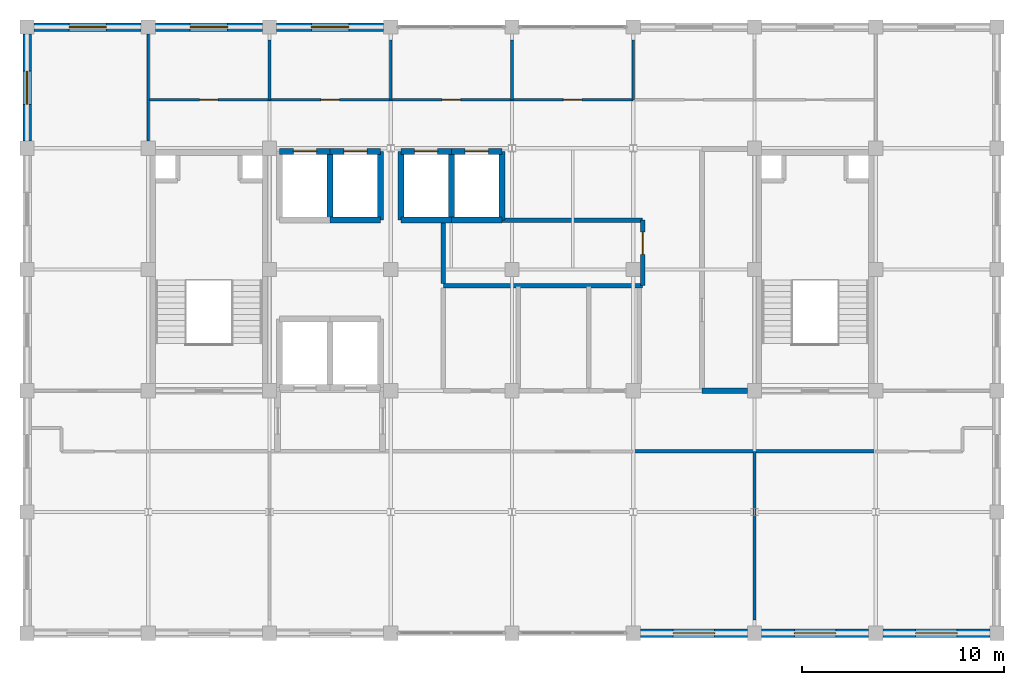
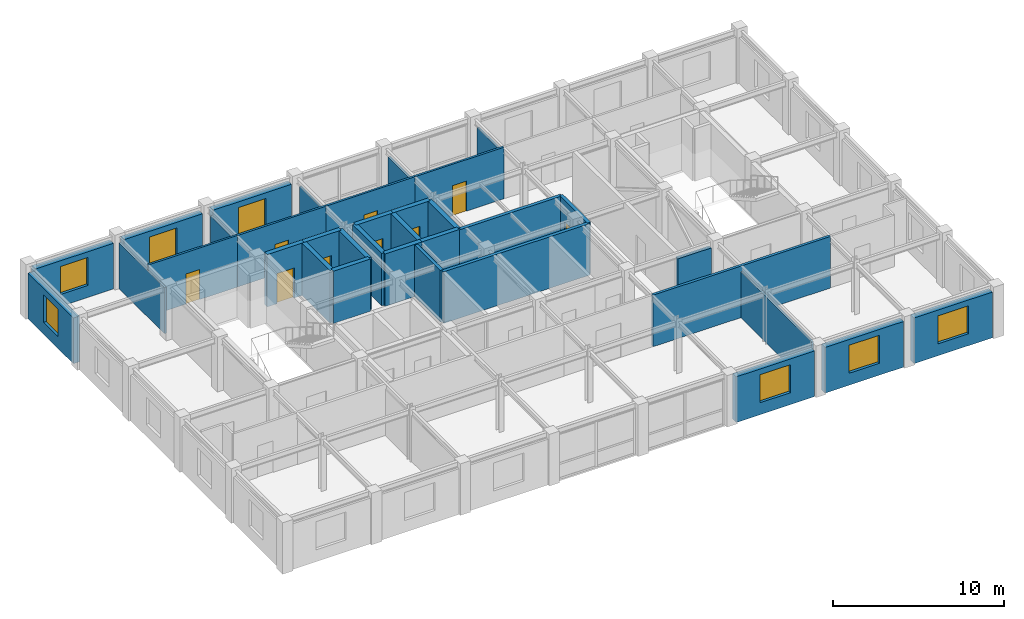
# One storey, part 10 of 13: 35 walls, 9 doors, 7 windows, 16 openings.
"""IFC4 building model written with IfcOpenShell, lengths in metres."""

from ifc_helpers import new_model, si_unit, direction, frame, frame_2d, origin, place, context, subcontext, project, spatial, rectangle, extrude, material, layer, layer_set, type_object, element, fill, save


model = new_model("IFC4")

# Units and contexts
model_context = context("Model", 3, precision=1e-05, world=origin(), true_north=direction((0.0, 1.0)))
body_context = subcontext(model_context, "Body", "Model", "MODEL_VIEW")
ifc_project = project(units=[si_unit("LENGTHUNIT", "METRE"), si_unit("AREAUNIT", "SQUARE_METRE"), si_unit("VOLUMEUNIT", "CUBIC_METRE"), si_unit("PLANEANGLEUNIT", "RADIAN"), si_unit("MASSUNIT", "GRAM", prefix="KILO")], contexts=[model_context])

# Site, building, storey
site_placement = place(None, origin())
site = spatial("IfcSite", under=ifc_project, at=site_placement, CompositionType="ELEMENT")
building_placement = place(site_placement, origin())
building = spatial("IfcBuilding", under=site, at=building_placement, Name="Zlatovratsky Civic Hall", CompositionType="ELEMENT")
storey_placement = place(building_placement, frame((0.0, 0.0, 48.300048828125)))
storey = spatial("IfcBuildingStorey", under=building, at=storey_placement, Name="L12", CompositionType="ELEMENT", Elevation=48.300048828125)

# Walls
ifc_material_1 = material(Name="Acoustic ceramic blockwork", Category="masonry")
ifc_layer_1 = layer(ifc_material_1, 0.179931640625)
ifc_layer_set_1 = layer_set([ifc_layer_1], Name="Acoustic ceramic blockwork")
wall_type_1 = type_object("IfcWallType", Name="Wall_AcousticChamberPartition_180", PredefinedType="PARTITIONING", material=ifc_layer_set_1)
wall_1_placement = place(storey_placement, frame((90.0, 81.0, 0.0), z_axis=(0.0, 0.0, 1.0), x_axis=(1.0, 0.0, 0.0)))
element("IfcWall", 1, at=wall_1_placement, inside=storey, type_object=wall_type_1, Name="WL-6599", PredefinedType="PARTITIONING", context=body_context, shape_type="SweptSolid", body=[
    extrude(rectangle(XDim=12.0, YDim=0.179931640625, at=frame_2d((6.0, 0.0))), origin(), (0.0, 0.0, 1.0), 3.679931640625),
])
ifc_layer_2 = layer(ifc_material_1, 0.260009765625)
ifc_layer_set_2 = layer_set([ifc_layer_2], Name="Acoustic ceramic blockwork")
wall_type_2 = type_object("IfcWallType", Name="Wall_ArchiveCompartment_260", PredefinedType="PARTITIONING", material=ifc_layer_set_2)
wall_2_placement = place(storey_placement, frame((93.39990234375, 84.0, 0.0), z_axis=(0.0, 0.0, 1.0), x_axis=(1.0, 0.0, 0.0)))
element("IfcWall", 2, at=wall_2_placement, inside=storey, type_object=wall_type_2, Name="WL-6565", PredefinedType="PARTITIONING", context=body_context, shape_type="SweptSolid", body=[
    extrude(rectangle(XDim=2.25, YDim=0.260009765625, at=frame_2d((1.125, 0.0))), origin(), (0.0, 0.0, 1.0), 3.287841796875),
])

# Wall, opening, door
ifc_material_2 = material(Name="Fire-rated gypsum board framing", Category="gypsum")
ifc_layer_3 = layer(ifc_material_2, 0.139892578125)
ifc_layer_set_3 = layer_set([ifc_layer_3], Name="Fire-rated gypsum board framing")
wall_type_3 = type_object("IfcWallType", Name="Wall_OfficePartition_140", PredefinedType="PARTITIONING", material=ifc_layer_set_3)
wall_3_placement = place(storey_placement, frame((66.0, 98.39990234375, 0.0), z_axis=(0.0, 0.0, 1.0), x_axis=(1.0, 0.0, 0.0)))
wall_3 = element("IfcWall", 3, at=wall_3_placement, inside=storey, type_object=wall_type_3, Name="WL-6581", PredefinedType="PARTITIONING", context=body_context, shape_type="SweptSolid", body=[
    extrude(rectangle(XDim=6.0, YDim=0.139892578125, at=frame_2d((3.0, 0.0))), origin(), (0.0, 0.0, 1.0), 3.679931640625),
])
opening_1_placement = place(wall_3_placement, frame((2.5400390625, 0.0, 0.0)))
opening_1 = element("IfcOpeningElement", 4, at=opening_1_placement, cuts=wall_3, Name="Opening D-23", PredefinedType="OPENING", context=body_context, shape_type="SweptSolid", body=[
    extrude(rectangle(XDim=0.919921875, YDim=2.14990234375, at=frame_2d((0.4599609375, 1.074951171875))), frame((0.0, 0.0849609375, 0.0), z_axis=(0.0, -1.0, 0.0), x_axis=(1.0, 0.0, 0.0)), (0.0, 0.0, 1.0), 0.169677734375),
])
ifc_material_3 = material(Name="Solid oak joinery in steel frame", Category="steel")
door_type_1 = type_object("IfcDoorType", Name="Door_OfficeStandard_920x2150", OperationType="NOTDEFINED", PredefinedType="DOOR", material=ifc_material_3)
door_1_placement = place(opening_1_placement, origin())
door_1 = element("IfcDoor", 5, at=door_1_placement, inside=storey, type_object=door_type_1, Name="DR-5479", OperationType="SINGLE_SWING_RIGHT", OverallHeight=2.14990234375, OverallWidth=0.919921875, PredefinedType="DOOR", context=body_context, shape_type="SweptSolid", body=[
    extrude(rectangle(XDim=0.919921875, YDim=2.14990234375, at=frame_2d((0.4599609375, 1.074951171875))), frame((0.0, 0.02490234375, 0.0), z_axis=(0.0, -1.0, 0.0), x_axis=(1.0, 0.0, 0.0)), (0.0, 0.0, 1.0), 0.050048828125),
])
fill(opening_1, door_1)

wall_4_placement = place(storey_placement, frame((72.0, 98.39990234375, 0.0), z_axis=(0.0, 0.0, 1.0), x_axis=(1.0, 0.0, 0.0)))
wall_4 = element("IfcWall", 6, at=wall_4_placement, inside=storey, type_object=wall_type_3, Name="WL-6582", PredefinedType="PARTITIONING", context=body_context, shape_type="SweptSolid", body=[
    extrude(rectangle(XDim=6.0, YDim=0.139892578125, at=frame_2d((3.0, 0.0))), origin(), (0.0, 0.0, 1.0), 3.679931640625),
])
opening_2_placement = place(wall_4_placement, frame((2.5400390625, 0.0, 0.0)))
opening_2 = element("IfcOpeningElement", 7, at=opening_2_placement, cuts=wall_4, Name="Opening D-23", PredefinedType="OPENING", context=body_context, shape_type="SweptSolid", body=[
    extrude(rectangle(XDim=0.919921875, YDim=2.14990234375, at=frame_2d((0.4599609375, 1.074951171875))), frame((0.0, 0.0849609375, 0.0), z_axis=(0.0, -1.0, 0.0), x_axis=(1.0, 0.0, 0.0)), (0.0, 0.0, 1.0), 0.169677734375),
])
door_2_placement = place(opening_2_placement, origin())
door_2 = element("IfcDoor", 8, at=door_2_placement, inside=storey, type_object=door_type_1, Name="DR-5480", OperationType="SINGLE_SWING_RIGHT", OverallHeight=2.14990234375, OverallWidth=0.919921875, PredefinedType="DOOR", context=body_context, shape_type="SweptSolid", body=[
    extrude(rectangle(XDim=0.919921875, YDim=2.14990234375, at=frame_2d((0.4599609375, 1.074951171875))), frame((0.0, 0.02490234375, 0.0), z_axis=(0.0, -1.0, 0.0), x_axis=(1.0, 0.0, 0.0)), (0.0, 0.0, 1.0), 0.050048828125),
])
fill(opening_2, door_2)

wall_5_placement = place(storey_placement, frame((78.0, 98.39990234375, 0.0), z_axis=(0.0, 0.0, 1.0), x_axis=(1.0, 0.0, 0.0)))
wall_5 = element("IfcWall", 9, at=wall_5_placement, inside=storey, type_object=wall_type_3, Name="WL-6583", PredefinedType="PARTITIONING", context=body_context, shape_type="SweptSolid", body=[
    extrude(rectangle(XDim=6.0, YDim=0.139892578125, at=frame_2d((3.0, 0.0))), origin(), (0.0, 0.0, 1.0), 3.679931640625),
])
opening_3_placement = place(wall_5_placement, frame((2.5400390625, 0.0, 0.0)))
opening_3 = element("IfcOpeningElement", 10, at=opening_3_placement, cuts=wall_5, Name="Opening D-23", PredefinedType="OPENING", context=body_context, shape_type="SweptSolid", body=[
    extrude(rectangle(XDim=0.919921875, YDim=2.14990234375, at=frame_2d((0.4599609375, 1.074951171875))), frame((0.0, 0.0849609375, 0.0), z_axis=(0.0, -1.0, 0.0), x_axis=(1.0, 0.0, 0.0)), (0.0, 0.0, 1.0), 0.169677734375),
])
door_3_placement = place(opening_3_placement, origin())
door_3 = element("IfcDoor", 11, at=door_3_placement, inside=storey, type_object=door_type_1, Name="DR-5481", OperationType="SINGLE_SWING_RIGHT", OverallHeight=2.14990234375, OverallWidth=0.919921875, PredefinedType="DOOR", context=body_context, shape_type="SweptSolid", body=[
    extrude(rectangle(XDim=0.919921875, YDim=2.14990234375, at=frame_2d((0.4599609375, 1.074951171875))), frame((0.0, 0.02490234375, 0.0), z_axis=(0.0, -1.0, 0.0), x_axis=(1.0, 0.0, 0.0)), (0.0, 0.0, 1.0), 0.050048828125),
])
fill(opening_3, door_3)

wall_6_placement = place(storey_placement, frame((84.0, 98.39990234375, 0.0), z_axis=(0.0, 0.0, 1.0), x_axis=(1.0, 0.0, 0.0)))
wall_6 = element("IfcWall", 12, at=wall_6_placement, inside=storey, type_object=wall_type_3, Name="WL-6584", PredefinedType="PARTITIONING", context=body_context, shape_type="SweptSolid", body=[
    extrude(rectangle(XDim=6.0, YDim=0.139892578125, at=frame_2d((3.0, 0.0))), origin(), (0.0, 0.0, 1.0), 3.679931640625),
])
opening_4_placement = place(wall_6_placement, frame((2.5400390625, 0.0, 0.0)))
opening_4 = element("IfcOpeningElement", 13, at=opening_4_placement, cuts=wall_6, Name="Opening D-23", PredefinedType="OPENING", context=body_context, shape_type="SweptSolid", body=[
    extrude(rectangle(XDim=0.919921875, YDim=2.14990234375, at=frame_2d((0.4599609375, 1.074951171875))), frame((0.0, 0.0849609375, 0.0), z_axis=(0.0, -1.0, 0.0), x_axis=(1.0, 0.0, 0.0)), (0.0, 0.0, 1.0), 0.169677734375),
])
door_4_placement = place(opening_4_placement, origin())
door_4 = element("IfcDoor", 14, at=door_4_placement, inside=storey, type_object=door_type_1, Name="DR-5482", OperationType="SINGLE_SWING_RIGHT", OverallHeight=2.14990234375, OverallWidth=0.919921875, PredefinedType="DOOR", context=body_context, shape_type="SweptSolid", body=[
    extrude(rectangle(XDim=0.919921875, YDim=2.14990234375, at=frame_2d((0.4599609375, 1.074951171875))), frame((0.0, 0.02490234375, 0.0), z_axis=(0.0, -1.0, 0.0), x_axis=(1.0, 0.0, 0.0)), (0.0, 0.0, 1.0), 0.050048828125),
])
fill(opening_4, door_4)

# Walls
wall_7_placement = place(storey_placement, frame((96.0, 72.64990234375, 0.0), z_axis=(0.0, 0.0, 1.0), x_axis=(0.0, 1.0, 0.0)))
element("IfcWall", 15, at=wall_7_placement, inside=storey, type_object=wall_type_3, Name="WL-6588", PredefinedType="PARTITIONING", context=body_context, shape_type="SweptSolid", body=[
    extrude(rectangle(XDim=8.35009765625, YDim=0.139892578125, at=frame_2d((4.175048828125, 0.0))), origin(), (0.0, 0.0, 1.0), 3.287841796875),
])
for number, where, z_axis, x_axis, name in (
    (16, (72.0, 98.39990234375, 0.0), (0.0, 0.0, 1.0), (0.0, 1.0, 0.0), "WL-6589"),
    (17, (78.0, 98.39990234375, 0.0), (0.0, 0.0, 1.0), (0.0, 1.0, 0.0), "WL-6590"),
    (18, (84.0, 98.39990234375, 0.0), (0.0, 0.0, 1.0), (0.0, 1.0, 0.0), "WL-6591"),
    (19, (90.0, 98.39990234375, 0.0), (0.0, 0.0, 1.0), (0.0, 1.0, 0.0), "WL-6592"),
):
    element("IfcWall", number, at=place(storey_placement, frame(where, z_axis=z_axis, x_axis=x_axis)), inside=storey, type_object=wall_type_3, Name=name, PredefinedType="PARTITIONING", context=body_context, shape_type="SweptSolid", body=[
        extrude(rectangle(XDim=2.9501953125, YDim=0.139892578125, at=frame_2d((1.47509765625, 0.0))), origin(), (0.0, 0.0, 1.0), 3.287841796875),
    ])
wall_8_placement = place(storey_placement, frame((66.0, 96.35009765625, 0.0), z_axis=(0.0, 0.0, 1.0), x_axis=(0.0, 1.0, 0.0)))
element("IfcWall", 20, at=wall_8_placement, inside=storey, type_object=wall_type_3, Name="WL-6604", PredefinedType="PARTITIONING", context=body_context, shape_type="SweptSolid", body=[
    extrude(rectangle(XDim=5.2998046875, YDim=0.139892578125, at=frame_2d((2.64990234375, 0.0))), origin(), (0.0, 0.0, 1.0), 3.287841796875),
])
ifc_layer_4 = layer(ifc_material_1, 0.219970703125)
ifc_layer_set_4 = layer_set([ifc_layer_4], Name="Acoustic ceramic blockwork")
wall_type_4 = type_object("IfcWallType", Name="Wall_SanitaryWetCore_220", PredefinedType="PARTITIONING", material=ifc_layer_set_4)
wall_9_placement = place(storey_placement, frame((80.60009765625, 89.199951171875, 0.0), z_axis=(0.0, 0.0, 1.0), x_axis=(1.0, 0.0, 0.0)))
element("IfcWall", 21, at=wall_9_placement, inside=storey, type_object=wall_type_4, Name="WL-6574", PredefinedType="PARTITIONING", context=body_context, shape_type="SweptSolid", body=[
    extrude(rectangle(XDim=9.869873046875, YDim=0.219970703125, at=frame_2d((4.93505859375, 0.0))), origin(), (0.0, 0.0, 1.0), 3.679931640625),
])

# Wall, opening, door
wall_10_placement = place(storey_placement, frame((90.469970703125, 89.199951171875, 0.0), z_axis=(0.0, 0.0, 1.0), x_axis=(0.0, 1.0, 0.0)))
wall_10 = element("IfcWall", 22, at=wall_10_placement, inside=storey, type_object=wall_type_4, Name="WL-6575", PredefinedType="PARTITIONING", context=body_context, shape_type="SweptSolid", body=[
    extrude(rectangle(XDim=3.25, YDim=0.219970703125, at=frame_2d((1.625, 0.0))), origin(), (0.0, 0.0, 1.0), 3.679931640625),
])
opening_5_placement = place(wall_10_placement, frame((1.550048828125, 0.0, 0.0)))
opening_5 = element("IfcOpeningElement", 23, at=opening_5_placement, cuts=wall_10, Name="Opening D-30", PredefinedType="OPENING", context=body_context, shape_type="SweptSolid", body=[
    extrude(rectangle(XDim=1.10009765625, YDim=2.14990234375, at=frame_2d((0.550048828125, 1.074951171875))), frame((0.0, 0.125, 0.0), z_axis=(0.0, -1.0, 0.0), x_axis=(1.0, 0.0, 0.0)), (0.0, 0.0, 1.0), 0.249755859375),
])
ifc_material_4 = material(Name="Insulated painted fire-rated steel leaf", Category="steel")
door_type_2 = type_object("IfcDoorType", Name="Door_ElectricalRoom_1100x2150", OperationType="NOTDEFINED", PredefinedType="DOOR", material=ifc_material_4)
door_5_placement = place(opening_5_placement, origin())
door_5 = element("IfcDoor", 24, at=door_5_placement, inside=storey, type_object=door_type_2, Name="DR-5473", OperationType="SINGLE_SWING_RIGHT", OverallHeight=2.14990234375, OverallWidth=1.10009765625, PredefinedType="DOOR", context=body_context, shape_type="SweptSolid", body=[
    extrude(rectangle(XDim=1.10009765625, YDim=2.14990234375, at=frame_2d((0.550048828125, 1.074951171875))), frame((0.0, 0.02490234375, 0.0), z_axis=(0.0, -1.0, 0.0), x_axis=(1.0, 0.0, 0.0)), (0.0, 0.0, 1.0), 0.050048828125),
])
fill(opening_5, door_5)

# Walls
wall_11_placement = place(storey_placement, frame((80.60009765625, 89.31005859375, 0.0), z_axis=(0.0, 0.0, 1.0), x_axis=(0.0, 1.0, 0.0)))
element("IfcWall", 25, at=wall_11_placement, inside=storey, type_object=wall_type_4, Name="WL-6596", PredefinedType="PARTITIONING", context=body_context, shape_type="SweptSolid", body=[
    extrude(rectangle(XDim=2.989990234375, YDim=0.219970703125, at=frame_2d((1.4951171875, 0.0))), origin(), (0.0, 0.0, 1.0), 3.679931640625),
])
wall_12_placement = place(storey_placement, frame((83.5, 92.449951171875, 0.0), z_axis=(0.0, 0.0, 1.0), x_axis=(1.0, 0.0, 0.0)))
element("IfcWall", 26, at=wall_12_placement, inside=storey, type_object=wall_type_4, Name="WL-6597", PredefinedType="PARTITIONING", context=body_context, shape_type="SweptSolid", body=[
    extrude(rectangle(XDim=6.969970703125, YDim=0.219970703125, at=frame_2d((3.48486328125, 0.0))), origin(), (0.0, 0.0, 1.0), 3.679931640625),
])

# Wall, opening, door
ifc_material_5 = material(Name="Concrete C35/45 (B40)", Category="concrete")
ifc_layer_5 = layer(ifc_material_5, 0.300048828125)
ifc_layer_set_5 = layer_set([ifc_layer_5], Name="Concrete C35/45 (B40)")
wall_type_5 = type_object("IfcWallType", Name="Wall_StairAndLiftShaft_300", PredefinedType="SHEAR", material=ifc_layer_set_5)
wall_13_placement = place(storey_placement, frame((72.5, 95.85009765625, 0.0), z_axis=(0.0, 0.0, 1.0), x_axis=(1.0, 0.0, 0.0)))
wall_13 = element("IfcWall", 27, at=wall_13_placement, inside=storey, type_object=wall_type_5, Name="WL-5662", PredefinedType="SHEAR", context=body_context, shape_type="SweptSolid", body=[
    extrude(rectangle(XDim=2.5, YDim=0.300048828125, at=frame_2d((1.25, 0.0))), origin(), (0.0, 0.0, 1.0), 3.739990234375),
])
opening_6_placement = place(wall_13_placement, frame((0.675048828125, 0.0, 0.0)))
opening_6 = element("IfcOpeningElement", 28, at=opening_6_placement, cuts=wall_13, Name="Opening LD-02", PredefinedType="OPENING", context=body_context, shape_type="SweptSolid", body=[
    extrude(rectangle(XDim=1.14990234375, YDim=2.14990234375, at=frame_2d((0.574951171875, 1.074951171875))), frame((0.0, 0.1650390625, 0.0), z_axis=(0.0, -1.0, 0.0), x_axis=(1.0, 0.0, 0.0)), (0.0, 0.0, 1.0), 0.329833984375),
])
ifc_material_6 = material(Name="Brushed stainless steel AISI 304", Category="steel")
door_type_3 = type_object("IfcDoorType", Name="Door_LiftLandingHighRise_1150x2150", OperationType="DOUBLE_DOOR_SLIDING", PredefinedType="DOOR", material=ifc_material_6)
door_6_placement = place(opening_6_placement, origin())
door_6 = element("IfcDoor", 29, at=door_6_placement, inside=storey, type_object=door_type_3, Name="Lift landing door LD-5109", OperationType="DOUBLE_DOOR_SLIDING", OverallHeight=2.14990234375, OverallWidth=1.14990234375, PredefinedType="DOOR", context=body_context, shape_type="SweptSolid", body=[
    extrude(rectangle(XDim=1.14990234375, YDim=2.14990234375, at=frame_2d((0.574951171875, 1.074951171875))), frame((0.0, 0.02490234375, 0.0), z_axis=(0.0, -1.0, 0.0), x_axis=(1.0, 0.0, 0.0)), (0.0, 0.0, 1.0), 0.050048828125),
])
fill(opening_6, door_6)

wall_14_placement = place(storey_placement, frame((75.0, 95.85009765625, 0.0), z_axis=(0.0, 0.0, 1.0), x_axis=(1.0, 0.0, 0.0)))
wall_14 = element("IfcWall", 30, at=wall_14_placement, inside=storey, type_object=wall_type_5, Name="WL-5731", PredefinedType="SHEAR", context=body_context, shape_type="SweptSolid", body=[
    extrude(rectangle(XDim=2.5, YDim=0.300048828125, at=frame_2d((1.25, 0.0))), origin(), (0.0, 0.0, 1.0), 3.739990234375),
])
opening_7_placement = place(wall_14_placement, frame((0.675048828125, 0.0, 0.0)))
opening_7 = element("IfcOpeningElement", 31, at=opening_7_placement, cuts=wall_14, Name="Opening LD-02", PredefinedType="OPENING", context=body_context, shape_type="SweptSolid", body=[
    extrude(rectangle(XDim=1.14990234375, YDim=2.14990234375, at=frame_2d((0.574951171875, 1.074951171875))), frame((0.0, 0.1650390625, 0.0), z_axis=(0.0, -1.0, 0.0), x_axis=(1.0, 0.0, 0.0)), (0.0, 0.0, 1.0), 0.329833984375),
])
door_7_placement = place(opening_7_placement, origin())
door_7 = element("IfcDoor", 32, at=door_7_placement, inside=storey, type_object=door_type_3, Name="Lift landing door LD-5128", OperationType="DOUBLE_DOOR_SLIDING", OverallHeight=2.14990234375, OverallWidth=1.14990234375, PredefinedType="DOOR", context=body_context, shape_type="SweptSolid", body=[
    extrude(rectangle(XDim=1.14990234375, YDim=2.14990234375, at=frame_2d((0.574951171875, 1.074951171875))), frame((0.0, 0.02490234375, 0.0), z_axis=(0.0, -1.0, 0.0), x_axis=(1.0, 0.0, 0.0)), (0.0, 0.0, 1.0), 0.050048828125),
])
fill(opening_7, door_7)

# Walls
wall_15_placement = place(storey_placement, frame((75.0, 92.449951171875, 0.0), z_axis=(0.0, 0.0, 1.0), x_axis=(1.0, 0.0, 0.0)))
element("IfcWall", 33, at=wall_15_placement, inside=storey, type_object=wall_type_5, Name="WL-5732", PredefinedType="SHEAR", context=body_context, shape_type="SweptSolid", body=[
    extrude(rectangle(XDim=2.5, YDim=0.300048828125, at=frame_2d((1.25, 0.0))), origin(), (0.0, 0.0, 1.0), 3.739990234375),
])
for number, where, z_axis, x_axis, name in (
    (34, (75.0, 92.449951171875, 0.0), (0.0, 0.0, 1.0), (0.0, 1.0, 0.0), "WL-5733"),
    (35, (77.5, 92.449951171875, 0.0), (0.0, 0.0, 1.0), (0.0, 1.0, 0.0), "WL-5734"),
):
    element("IfcWall", number, at=place(storey_placement, frame(where, z_axis=z_axis, x_axis=x_axis)), inside=storey, type_object=wall_type_5, Name=name, PredefinedType="SHEAR", context=body_context, shape_type="SweptSolid", body=[
        extrude(rectangle(XDim=3.400146484375, YDim=0.300048828125, at=frame_2d((1.7001953125, 0.0))), origin(), (0.0, 0.0, 1.0), 3.739990234375),
    ])

# Wall, opening, door
wall_16_placement = place(storey_placement, frame((78.5, 95.85009765625, 0.0), z_axis=(0.0, 0.0, 1.0), x_axis=(1.0, 0.0, 0.0)))
wall_16 = element("IfcWall", 36, at=wall_16_placement, inside=storey, type_object=wall_type_5, Name="WL-5795", PredefinedType="SHEAR", context=body_context, shape_type="SweptSolid", body=[
    extrude(rectangle(XDim=2.5, YDim=0.300048828125, at=frame_2d((1.25, 0.0))), origin(), (0.0, 0.0, 1.0), 3.739990234375),
])
opening_8_placement = place(wall_16_placement, frame((0.675048828125, 0.0, 0.0)))
opening_8 = element("IfcOpeningElement", 37, at=opening_8_placement, cuts=wall_16, Name="Opening LD-02", PredefinedType="OPENING", context=body_context, shape_type="SweptSolid", body=[
    extrude(rectangle(XDim=1.14990234375, YDim=2.14990234375, at=frame_2d((0.574951171875, 1.074951171875))), frame((0.0, 0.1650390625, 0.0), z_axis=(0.0, -1.0, 0.0), x_axis=(1.0, 0.0, 0.0)), (0.0, 0.0, 1.0), 0.329833984375),
])
door_8_placement = place(opening_8_placement, origin())
door_8 = element("IfcDoor", 38, at=door_8_placement, inside=storey, type_object=door_type_3, Name="Lift landing door LD-5147", OperationType="DOUBLE_DOOR_SLIDING", OverallHeight=2.14990234375, OverallWidth=1.14990234375, PredefinedType="DOOR", context=body_context, shape_type="SweptSolid", body=[
    extrude(rectangle(XDim=1.14990234375, YDim=2.14990234375, at=frame_2d((0.574951171875, 1.074951171875))), frame((0.0, 0.02490234375, 0.0), z_axis=(0.0, -1.0, 0.0), x_axis=(1.0, 0.0, 0.0)), (0.0, 0.0, 1.0), 0.050048828125),
])
fill(opening_8, door_8)

# Walls
wall_17_placement = place(storey_placement, frame((78.5, 92.449951171875, 0.0), z_axis=(0.0, 0.0, 1.0), x_axis=(1.0, 0.0, 0.0)))
element("IfcWall", 39, at=wall_17_placement, inside=storey, type_object=wall_type_5, Name="WL-5796", PredefinedType="SHEAR", context=body_context, shape_type="SweptSolid", body=[
    extrude(rectangle(XDim=2.5, YDim=0.300048828125, at=frame_2d((1.25, 0.0))), origin(), (0.0, 0.0, 1.0), 3.739990234375),
])
wall_18_placement = place(storey_placement, frame((78.5, 92.449951171875, 0.0), z_axis=(0.0, 0.0, 1.0), x_axis=(0.0, 1.0, 0.0)))
element("IfcWall", 40, at=wall_18_placement, inside=storey, type_object=wall_type_5, Name="WL-5797", PredefinedType="SHEAR", context=body_context, shape_type="SweptSolid", body=[
    extrude(rectangle(XDim=3.400146484375, YDim=0.300048828125, at=frame_2d((1.7001953125, 0.0))), origin(), (0.0, 0.0, 1.0), 3.739990234375),
])

# Wall, opening, door
wall_19_placement = place(storey_placement, frame((81.0, 95.85009765625, 0.0), z_axis=(0.0, 0.0, 1.0), x_axis=(1.0, 0.0, 0.0)))
wall_19 = element("IfcWall", 41, at=wall_19_placement, inside=storey, type_object=wall_type_5, Name="WL-5864", PredefinedType="SHEAR", context=body_context, shape_type="SweptSolid", body=[
    extrude(rectangle(XDim=2.5, YDim=0.300048828125, at=frame_2d((1.25, 0.0))), origin(), (0.0, 0.0, 1.0), 3.739990234375),
])
opening_9_placement = place(wall_19_placement, frame((0.675048828125, 0.0, 0.0)))
opening_9 = element("IfcOpeningElement", 42, at=opening_9_placement, cuts=wall_19, Name="Opening LD-02", PredefinedType="OPENING", context=body_context, shape_type="SweptSolid", body=[
    extrude(rectangle(XDim=1.14990234375, YDim=2.14990234375, at=frame_2d((0.574951171875, 1.074951171875))), frame((0.0, 0.1650390625, 0.0), z_axis=(0.0, -1.0, 0.0), x_axis=(1.0, 0.0, 0.0)), (0.0, 0.0, 1.0), 0.329833984375),
])
door_9_placement = place(opening_9_placement, origin())
door_9 = element("IfcDoor", 43, at=door_9_placement, inside=storey, type_object=door_type_3, Name="Lift landing door LD-5166", OperationType="DOUBLE_DOOR_SLIDING", OverallHeight=2.14990234375, OverallWidth=1.14990234375, PredefinedType="DOOR", context=body_context, shape_type="SweptSolid", body=[
    extrude(rectangle(XDim=1.14990234375, YDim=2.14990234375, at=frame_2d((0.574951171875, 1.074951171875))), frame((0.0, 0.02490234375, 0.0), z_axis=(0.0, -1.0, 0.0), x_axis=(1.0, 0.0, 0.0)), (0.0, 0.0, 1.0), 0.050048828125),
])
fill(opening_9, door_9)

# Walls
wall_20_placement = place(storey_placement, frame((81.0, 92.449951171875, 0.0), z_axis=(0.0, 0.0, 1.0), x_axis=(1.0, 0.0, 0.0)))
element("IfcWall", 44, at=wall_20_placement, inside=storey, type_object=wall_type_5, Name="WL-5865", PredefinedType="SHEAR", context=body_context, shape_type="SweptSolid", body=[
    extrude(rectangle(XDim=2.5, YDim=0.300048828125, at=frame_2d((1.25, 0.0))), origin(), (0.0, 0.0, 1.0), 3.739990234375),
])
for number, where, z_axis, x_axis, name in (
    (45, (81.0, 92.449951171875, 0.0), (0.0, 0.0, 1.0), (0.0, 1.0, 0.0), "WL-5866"),
    (46, (83.5, 92.449951171875, 0.0), (0.0, 0.0, 1.0), (0.0, 1.0, 0.0), "WL-5867"),
):
    element("IfcWall", number, at=place(storey_placement, frame(where, z_axis=z_axis, x_axis=x_axis)), inside=storey, type_object=wall_type_5, Name=name, PredefinedType="SHEAR", context=body_context, shape_type="SweptSolid", body=[
        extrude(rectangle(XDim=3.400146484375, YDim=0.300048828125, at=frame_2d((1.7001953125, 0.0))), origin(), (0.0, 0.0, 1.0), 3.739990234375),
    ])

# Wall, opening, window
ifc_layer_6 = layer(ifc_material_1, 0.280029296875, Name="Backing")
ifc_material_7 = material(Name="Podolsk limestone ashlar", Category="masonry")
ifc_layer_7 = layer(ifc_material_7, 0.139892578125, Name="Finish")
ifc_layer_set_6 = layer_set([ifc_layer_6, ifc_layer_7], Name="Acoustic ceramic blockwork")
wall_type_6 = type_object("IfcWallType", Name="Wall_TowerLimestoneAshlar_420", PredefinedType="SOLIDWALL", material=ifc_layer_set_6)
wall_21_placement = place(storey_placement, frame((90.35009765625, 72.0, 0.0), z_axis=(0.0, 0.0, 1.0), x_axis=(1.0, 0.0, 0.0)))
wall_21 = element("IfcWall", 47, at=wall_21_placement, inside=storey, type_object=wall_type_6, Name="WL-0570", PredefinedType="SOLIDWALL", context=body_context, shape_type="SweptSolid", body=[
    extrude(rectangle(XDim=5.2998046875, YDim=0.419921875, at=frame_2d((2.64990234375, 0.0))), origin(), (0.0, 0.0, 1.0), 3.260009765625),
])
opening_10_placement = place(wall_21_placement, frame((1.625, 0.0, 0.85009765625)))
opening_10 = element("IfcOpeningElement", 48, at=opening_10_placement, cuts=wall_21, Name="Opening WN-17", PredefinedType="OPENING", context=body_context, shape_type="SweptSolid", body=[
    extrude(rectangle(XDim=2.050048828125, YDim=2.0, at=frame_2d((1.02490234375, 1.0))), frame((0.0, 0.224853515625, 0.0), z_axis=(0.0, -1.0, 0.0), x_axis=(1.0, 0.0, 0.0)), (0.0, 0.0, 1.0), 0.44970703125),
])
ifc_material_8 = material(Name="Low-E laminated double glazing", Category="glass")
window_type_1 = type_object("IfcWindowType", Name="Window_TowerTier2South_2050x2000", PartitioningType="SINGLE_PANEL", PredefinedType="WINDOW", material=ifc_material_8)
window_1_placement = place(opening_10_placement, origin())
window_1 = element("IfcWindow", 49, at=window_1_placement, inside=storey, type_object=window_type_1, Name="WN-0444", OverallHeight=2.0, OverallWidth=2.050048828125, PartitioningType="SINGLE_PANEL", PredefinedType="WINDOW", context=body_context, shape_type="SweptSolid", body=[
    extrude(rectangle(XDim=2.050048828125, YDim=2.0, at=frame_2d((1.02490234375, 1.0))), frame((0.0, 0.030029296875, 0.0), z_axis=(0.0, -1.0, 0.0), x_axis=(1.0, 0.0, 0.0)), (0.0, 0.0, 1.0), 0.06005859375),
])
fill(opening_10, window_1)

wall_22_placement = place(storey_placement, frame((96.35009765625, 72.0, 0.0), z_axis=(0.0, 0.0, 1.0), x_axis=(1.0, 0.0, 0.0)))
wall_22 = element("IfcWall", 50, at=wall_22_placement, inside=storey, type_object=wall_type_6, Name="WL-0571", PredefinedType="SOLIDWALL", context=body_context, shape_type="SweptSolid", body=[
    extrude(rectangle(XDim=5.2998046875, YDim=0.419921875, at=frame_2d((2.64990234375, 0.0))), origin(), (0.0, 0.0, 1.0), 3.260009765625),
])
opening_11_placement = place(wall_22_placement, frame((1.625, 0.0, 0.85009765625)))
opening_11 = element("IfcOpeningElement", 51, at=opening_11_placement, cuts=wall_22, Name="Opening WN-17", PredefinedType="OPENING", context=body_context, shape_type="SweptSolid", body=[
    extrude(rectangle(XDim=2.050048828125, YDim=2.0, at=frame_2d((1.02490234375, 1.0))), frame((0.0, 0.224853515625, 0.0), z_axis=(0.0, -1.0, 0.0), x_axis=(1.0, 0.0, 0.0)), (0.0, 0.0, 1.0), 0.44970703125),
])
window_2_placement = place(opening_11_placement, origin())
window_2 = element("IfcWindow", 52, at=window_2_placement, inside=storey, type_object=window_type_1, Name="WN-0445", OverallHeight=2.0, OverallWidth=2.050048828125, PartitioningType="SINGLE_PANEL", PredefinedType="WINDOW", context=body_context, shape_type="SweptSolid", body=[
    extrude(rectangle(XDim=2.050048828125, YDim=2.0, at=frame_2d((1.02490234375, 1.0))), frame((0.0, 0.030029296875, 0.0), z_axis=(0.0, -1.0, 0.0), x_axis=(1.0, 0.0, 0.0)), (0.0, 0.0, 1.0), 0.06005859375),
])
fill(opening_11, window_2)

wall_23_placement = place(storey_placement, frame((102.35009765625, 72.0, 0.0), z_axis=(0.0, 0.0, 1.0), x_axis=(1.0, 0.0, 0.0)))
wall_23 = element("IfcWall", 53, at=wall_23_placement, inside=storey, type_object=wall_type_6, Name="WL-0572", PredefinedType="SOLIDWALL", context=body_context, shape_type="SweptSolid", body=[
    extrude(rectangle(XDim=5.2998046875, YDim=0.419921875, at=frame_2d((2.64990234375, 0.0))), origin(), (0.0, 0.0, 1.0), 3.260009765625),
])
opening_12_placement = place(wall_23_placement, frame((1.625, 0.0, 0.85009765625)))
opening_12 = element("IfcOpeningElement", 54, at=opening_12_placement, cuts=wall_23, Name="Opening WN-17", PredefinedType="OPENING", context=body_context, shape_type="SweptSolid", body=[
    extrude(rectangle(XDim=2.050048828125, YDim=2.0, at=frame_2d((1.02490234375, 1.0))), frame((0.0, 0.224853515625, 0.0), z_axis=(0.0, -1.0, 0.0), x_axis=(1.0, 0.0, 0.0)), (0.0, 0.0, 1.0), 0.44970703125),
])
window_3_placement = place(opening_12_placement, origin())
window_3 = element("IfcWindow", 55, at=window_3_placement, inside=storey, type_object=window_type_1, Name="WN-0446", OverallHeight=2.0, OverallWidth=2.050048828125, PartitioningType="SINGLE_PANEL", PredefinedType="WINDOW", context=body_context, shape_type="SweptSolid", body=[
    extrude(rectangle(XDim=2.050048828125, YDim=2.0, at=frame_2d((1.02490234375, 1.0))), frame((0.0, 0.030029296875, 0.0), z_axis=(0.0, -1.0, 0.0), x_axis=(1.0, 0.0, 0.0)), (0.0, 0.0, 1.0), 0.06005859375),
])
fill(opening_12, window_3)

wall_24_placement = place(storey_placement, frame((60.35009765625, 102.0, 0.0), z_axis=(0.0, 0.0, 1.0), x_axis=(1.0, 0.0, 0.0)))
wall_24 = element("IfcWall", 56, at=wall_24_placement, inside=storey, type_object=wall_type_6, Name="WL-0573", PredefinedType="SOLIDWALL", context=body_context, shape_type="SweptSolid", body=[
    extrude(rectangle(XDim=5.2998046875, YDim=0.419921875, at=frame_2d((2.64990234375, 0.0))), origin(), (0.0, 0.0, 1.0), 3.260009765625),
])
opening_13_placement = place(wall_24_placement, frame((1.72509765625, 0.0, 0.85009765625)))
opening_13 = element("IfcOpeningElement", 57, at=opening_13_placement, cuts=wall_24, Name="Opening WN-18", PredefinedType="OPENING", context=body_context, shape_type="SweptSolid", body=[
    extrude(rectangle(XDim=1.85009765625, YDim=2.0, at=frame_2d((0.925048828125, 1.0))), frame((0.0, 0.224853515625, 0.0), z_axis=(0.0, -1.0, 0.0), x_axis=(1.0, 0.0, 0.0)), (0.0, 0.0, 1.0), 0.44970703125),
])
window_type_2 = type_object("IfcWindowType", Name="Window_TowerTier2North_1850x2000", PartitioningType="SINGLE_PANEL", PredefinedType="WINDOW", material=ifc_material_8)
window_4_placement = place(opening_13_placement, origin())
window_4 = element("IfcWindow", 58, at=window_4_placement, inside=storey, type_object=window_type_2, Name="WN-0447", OverallHeight=2.0, OverallWidth=1.85009765625, PartitioningType="SINGLE_PANEL", PredefinedType="WINDOW", context=body_context, shape_type="SweptSolid", body=[
    extrude(rectangle(XDim=1.85009765625, YDim=2.0, at=frame_2d((0.925048828125, 1.0))), frame((0.0, 0.030029296875, 0.0), z_axis=(0.0, -1.0, 0.0), x_axis=(1.0, 0.0, 0.0)), (0.0, 0.0, 1.0), 0.06005859375),
])
fill(opening_13, window_4)

wall_25_placement = place(storey_placement, frame((66.35009765625, 102.0, 0.0), z_axis=(0.0, 0.0, 1.0), x_axis=(1.0, 0.0, 0.0)))
wall_25 = element("IfcWall", 59, at=wall_25_placement, inside=storey, type_object=wall_type_6, Name="WL-0574", PredefinedType="SOLIDWALL", context=body_context, shape_type="SweptSolid", body=[
    extrude(rectangle(XDim=5.2998046875, YDim=0.419921875, at=frame_2d((2.64990234375, 0.0))), origin(), (0.0, 0.0, 1.0), 3.260009765625),
])
opening_14_placement = place(wall_25_placement, frame((1.72509765625, 0.0, 0.85009765625)))
opening_14 = element("IfcOpeningElement", 60, at=opening_14_placement, cuts=wall_25, Name="Opening WN-18", PredefinedType="OPENING", context=body_context, shape_type="SweptSolid", body=[
    extrude(rectangle(XDim=1.85009765625, YDim=2.0, at=frame_2d((0.925048828125, 1.0))), frame((0.0, 0.224853515625, 0.0), z_axis=(0.0, -1.0, 0.0), x_axis=(1.0, 0.0, 0.0)), (0.0, 0.0, 1.0), 0.44970703125),
])
window_5_placement = place(opening_14_placement, origin())
window_5 = element("IfcWindow", 61, at=window_5_placement, inside=storey, type_object=window_type_2, Name="WN-0448", OverallHeight=2.0, OverallWidth=1.85009765625, PartitioningType="SINGLE_PANEL", PredefinedType="WINDOW", context=body_context, shape_type="SweptSolid", body=[
    extrude(rectangle(XDim=1.85009765625, YDim=2.0, at=frame_2d((0.925048828125, 1.0))), frame((0.0, 0.030029296875, 0.0), z_axis=(0.0, -1.0, 0.0), x_axis=(1.0, 0.0, 0.0)), (0.0, 0.0, 1.0), 0.06005859375),
])
fill(opening_14, window_5)

wall_26_placement = place(storey_placement, frame((72.35009765625, 102.0, 0.0), z_axis=(0.0, 0.0, 1.0), x_axis=(1.0, 0.0, 0.0)))
wall_26 = element("IfcWall", 62, at=wall_26_placement, inside=storey, type_object=wall_type_6, Name="WL-0575", PredefinedType="SOLIDWALL", context=body_context, shape_type="SweptSolid", body=[
    extrude(rectangle(XDim=5.2998046875, YDim=0.419921875, at=frame_2d((2.64990234375, 0.0))), origin(), (0.0, 0.0, 1.0), 3.260009765625),
])
opening_15_placement = place(wall_26_placement, frame((1.72509765625, 0.0, 0.85009765625)))
opening_15 = element("IfcOpeningElement", 63, at=opening_15_placement, cuts=wall_26, Name="Opening WN-18", PredefinedType="OPENING", context=body_context, shape_type="SweptSolid", body=[
    extrude(rectangle(XDim=1.85009765625, YDim=2.0, at=frame_2d((0.925048828125, 1.0))), frame((0.0, 0.224853515625, 0.0), z_axis=(0.0, -1.0, 0.0), x_axis=(1.0, 0.0, 0.0)), (0.0, 0.0, 1.0), 0.44970703125),
])
window_6_placement = place(opening_15_placement, origin())
window_6 = element("IfcWindow", 64, at=window_6_placement, inside=storey, type_object=window_type_2, Name="WN-0449", OverallHeight=2.0, OverallWidth=1.85009765625, PartitioningType="SINGLE_PANEL", PredefinedType="WINDOW", context=body_context, shape_type="SweptSolid", body=[
    extrude(rectangle(XDim=1.85009765625, YDim=2.0, at=frame_2d((0.925048828125, 1.0))), frame((0.0, 0.030029296875, 0.0), z_axis=(0.0, -1.0, 0.0), x_axis=(1.0, 0.0, 0.0)), (0.0, 0.0, 1.0), 0.06005859375),
])
fill(opening_15, window_6)

wall_27_placement = place(storey_placement, frame((60.0, 96.35009765625, 0.0), z_axis=(0.0, 0.0, 1.0), x_axis=(0.0, 1.0, 0.0)))
wall_27 = element("IfcWall", 65, at=wall_27_placement, inside=storey, type_object=wall_type_6, Name="WL-0583", PredefinedType="SOLIDWALL", context=body_context, shape_type="SweptSolid", body=[
    extrude(rectangle(XDim=5.2998046875, YDim=0.419921875, at=frame_2d((2.64990234375, 0.0))), origin(), (0.0, 0.0, 1.0), 3.260009765625),
])
opening_16_placement = place(wall_27_placement, frame((1.824951171875, 0.0, 0.85009765625)))
opening_16 = element("IfcOpeningElement", 66, at=opening_16_placement, cuts=wall_27, Name="Opening WN-19", PredefinedType="OPENING", context=body_context, shape_type="SweptSolid", body=[
    extrude(rectangle(XDim=1.64990234375, YDim=1.949951171875, at=frame_2d((0.824951171875, 0.97509765625))), frame((0.0, 0.224853515625, 0.0), z_axis=(0.0, -1.0, 0.0), x_axis=(1.0, 0.0, 0.0)), (0.0, 0.0, 1.0), 0.44970703125),
])
window_type_3 = type_object("IfcWindowType", Name="Window_TowerTier2Flank_1650x1950", PartitioningType="SINGLE_PANEL", PredefinedType="WINDOW", material=ifc_material_8)
window_7_placement = place(opening_16_placement, origin())
window_7 = element("IfcWindow", 67, at=window_7_placement, inside=storey, type_object=window_type_3, Name="WN-0457", OverallHeight=1.949951171875, OverallWidth=1.64990234375, PartitioningType="SINGLE_PANEL", PredefinedType="WINDOW", context=body_context, shape_type="SweptSolid", body=[
    extrude(rectangle(XDim=1.64990234375, YDim=1.949951171875, at=frame_2d((0.824951171875, 0.97509765625))), frame((0.0, 0.030029296875, 0.0), z_axis=(0.0, -1.0, 0.0), x_axis=(1.0, 0.0, 0.0)), (0.0, 0.0, 1.0), 0.06005859375),
])
fill(opening_16, window_7)

save(model, "model.ifc")
